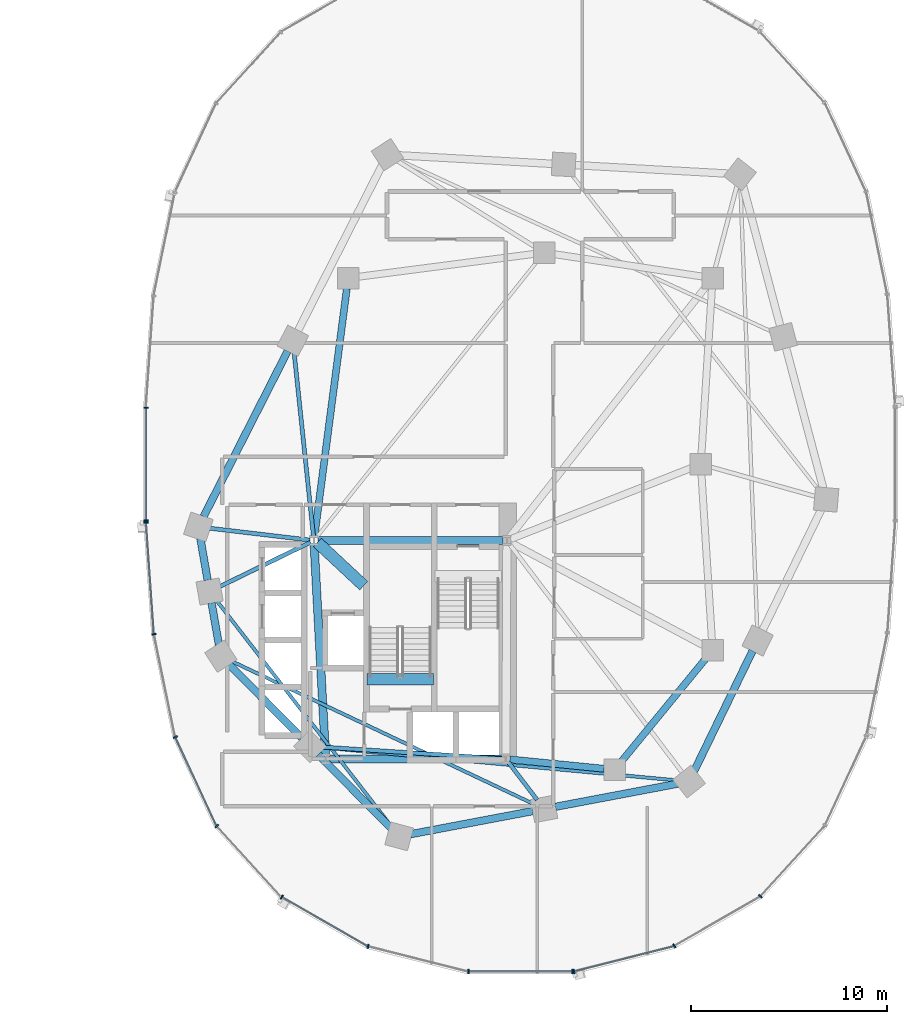
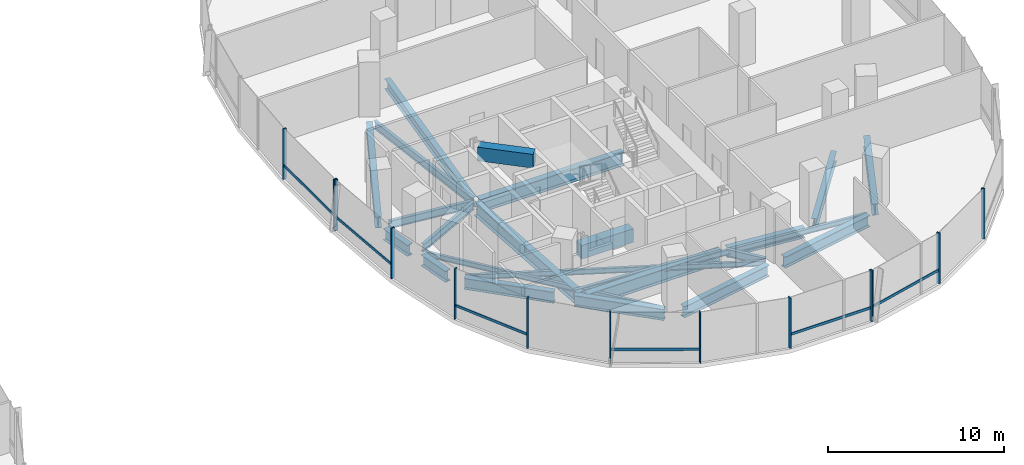
# One storey, part 5 of 22: 24 beams, 19 members, 3 elements without a shape of their own.
"""IFC4 building model written with IfcOpenShell, lengths in metres."""

from ifc_helpers import new_model, si_unit, direction, frame, origin, origin_2d, place, context, subcontext, project, spatial, rectangle, i_section, extrude, material, material_profile, profile_set, type_object, element, aggregate, save


model = new_model("IFC4")

# Units and contexts
model_context = context("Model", 3, precision=1e-05, world=origin(), true_north=direction((0.0, 1.0)))
body_context = subcontext(model_context, "Body", "Model", "MODEL_VIEW")
ifc_project = project(units=[si_unit("LENGTHUNIT", "METRE"), si_unit("AREAUNIT", "SQUARE_METRE"), si_unit("VOLUMEUNIT", "CUBIC_METRE"), si_unit("PLANEANGLEUNIT", "RADIAN"), si_unit("MASSUNIT", "GRAM", prefix="KILO"), si_unit("THERMODYNAMICTEMPERATUREUNIT", "KELVIN"), si_unit("POWERUNIT", "WATT")], contexts=[model_context])

# Site, building, storey
site_placement = place(None, origin())
site = spatial("IfcSite", under=ifc_project, at=site_placement, CompositionType="ELEMENT")
building_placement = place(site_placement, origin())
building = spatial("IfcBuilding", under=site, at=building_placement, Name="Cundina Bronze Exchange", CompositionType="ELEMENT")
storey_placement = place(building_placement, frame((0.0, 0.0, 43.0)))
storey = spatial("IfcBuildingStorey", under=building, at=storey_placement, Name="L10", CompositionType="ELEMENT", Elevation=43.0)

# Beams
ifc_material_1 = material(Name="Concrete C60/75", Category="concrete")
ifc_material_profile_1 = material_profile(ifc_material_1, rectangle(XDim=0.60009765625, YDim=0.949951171875, at=origin_2d()), Name="RC600X950", Category="concrete")
ifc_profile_set_1 = profile_set([ifc_material_profile_1], Name="Concrete C60/75")
beam_type_1 = type_object("IfcBeamType", Name="BM-COUP-RC950", PredefinedType="LINTEL", material=ifc_profile_set_1)
beam_1_placement = place(storey_placement, frame((24.159912109375, -10.97998046875, -0.47509765625), z_axis=(1.0, 0.0, 0.0), x_axis=(0.0, 1.0, 0.0)))
element("IfcBeam", 1, at=beam_1_placement, inside=storey, type_object=beam_type_1, Name="L10 Stair E2 Landing Header Beam", PredefinedType="LINTEL", context=body_context, shape_type="SweptSolid", body=[
    extrude(rectangle(XDim=0.60009765625, YDim=0.949951171875, at=origin_2d()), origin(), (0.0, 0.0, 1.0), 3.400146484375),
])
beam_2_placement = place(storey_placement, frame((21.6298828125, -4.0, 3.02490234375), z_axis=(0.731490439815, -0.681851696822, 0.0), x_axis=(0.681851696822, 0.731490439815, 0.0)))
element("IfcBeam", 2, at=beam_2_placement, inside=storey, type_object=beam_type_1, Name="L10 E Core Shear Coupling Lintel Beam", PredefinedType="LINTEL", context=body_context, shape_type="SweptSolid", body=[
    extrude(rectangle(XDim=0.60009765625, YDim=0.949951171875, at=origin_2d()), origin(), (0.0, 0.0, 1.0), 3.226318359375),
])
ifc_material_2 = material(Name="Steel ASTM A992 Grade 50", Category="steel")
ifc_material_profile_2 = material_profile(ifc_material_2, i_section(OverallWidth=0.2099609375, OverallDepth=0.532958984375, WebThickness=0.01025390625, FlangeThickness=0.015625, FilletRadius=0.013916015625, at=origin_2d()), Name="W21X62", Category="steel")
ifc_profile_set_2 = profile_set([ifc_material_profile_2], Name="Steel ASTM A992 Grade 50")
beam_type_2 = type_object("IfcBeamType", Name="BM-FLR-W21B", PredefinedType="BEAM", material=ifc_profile_set_2)
beam_3_placement = place(storey_placement, frame((21.247314453125, -3.8759765625, -0.56640625), z_axis=(-0.993035236117, 0.117817739878, 0.0), x_axis=(-0.117817739878, -0.993035236117, 0.0)))
element("IfcBeam", 3, at=beam_3_placement, inside=storey, type_object=beam_type_2, Name="L10 Leg E Chordal Floor Beam 00", PredefinedType="BEAM", context=body_context, shape_type="SweptSolid", body=[
    extrude(i_section(OverallWidth=0.2099609375, OverallDepth=0.532958984375, WebThickness=0.01025390625, FlangeThickness=0.015625, FilletRadius=0.013916015625, at=origin_2d()), origin(), (0.0, 0.0, 1.0), 5.1494140625),
])
beam_4_placement = place(storey_placement, frame((21.2666015625, -3.989501953125, -0.56640625), z_axis=(-0.898610249448, -0.438747785849, 0.0), x_axis=(0.438747785849, -0.898610249448, 0.0)))
element("IfcBeam", 4, at=beam_4_placement, inside=storey, type_object=beam_type_2, Name="L10 Leg E Chordal Floor Beam 01", PredefinedType="BEAM", context=body_context, shape_type="SweptSolid", body=[
    extrude(i_section(OverallWidth=0.2099609375, OverallDepth=0.532958984375, WebThickness=0.01025390625, FlangeThickness=0.015625, FilletRadius=0.013916015625, at=origin_2d()), origin(), (0.0, 0.0, 1.0), 5.1337890625),
])
beam_5_placement = place(storey_placement, frame((31.04638671875, -15.036865234375, -0.56640625), z_axis=(-0.99789233798, 0.064891307594, 0.0), x_axis=(-0.064891307594, -0.99789233798, 0.0)))
element("IfcBeam", 5, at=beam_5_placement, inside=storey, type_object=beam_type_2, Name="L10 Leg E Chordal Floor Beam 03", PredefinedType="BEAM", context=body_context, shape_type="SweptSolid", body=[
    extrude(i_section(OverallWidth=0.2099609375, OverallDepth=0.532958984375, WebThickness=0.01025390625, FlangeThickness=0.015625, FilletRadius=0.013916015625, at=origin_2d()), origin(), (0.0, 0.0, 1.0), 9.22900390625),
])
beam_6_placement = place(storey_placement, frame((31.373779296875, -15.2119140625, -0.56640625), z_axis=(0.607468844289, -0.794343504548, 0.0), x_axis=(0.794343504548, 0.607468844289, 0.0)))
element("IfcBeam", 6, at=beam_6_placement, inside=storey, type_object=beam_type_2, Name="L10 Leg E Chordal Floor Beam 05", PredefinedType="BEAM", context=body_context, shape_type="SweptSolid", body=[
    extrude(i_section(OverallWidth=0.2099609375, OverallDepth=0.532958984375, WebThickness=0.01025390625, FlangeThickness=0.015625, FilletRadius=0.013916015625, at=origin_2d()), origin(), (0.0, 0.0, 1.0), 2.418212890625),
])
beam_7_placement = place(storey_placement, frame((21.4287109375, -3.697021484375, -0.56640625), z_axis=(-0.10483517787, 0.994489610544, 0.0), x_axis=(-0.994489610544, -0.10483517787, 0.0)))
element("IfcBeam", 7, at=beam_7_placement, inside=storey, type_object=beam_type_2, Name="L10 Leg E Chordal Floor Beam 13", PredefinedType="BEAM", context=body_context, shape_type="SweptSolid", body=[
    extrude(i_section(OverallWidth=0.2099609375, OverallDepth=0.532958984375, WebThickness=0.01025390625, FlangeThickness=0.015625, FilletRadius=0.013916015625, at=origin_2d()), origin(), (0.0, 0.0, 1.0), 9.46435546875),
])
ifc_material_profile_3 = material_profile(ifc_material_2, i_section(OverallWidth=0.172119140625, OverallDepth=0.35791015625, WebThickness=0.0078125, FlangeThickness=0.01318359375, FilletRadius=0.010009765625, at=origin_2d()), Name="W14X38", Category="steel")
ifc_profile_set_3 = profile_set([ifc_material_profile_3], Name="Steel ASTM A992 Grade 50")
beam_type_3 = type_object("IfcBeamType", Name="BM-JST-W14", PredefinedType="JOIST", material=ifc_profile_set_3)
beam_8_placement = place(storey_placement, frame((16.48486328125, -6.965087890625, -0.47900390625), z_axis=(0.612089386305, -0.790788583108, 0.0), x_axis=(0.790788583108, 0.612089386305, 0.0)))
element("IfcBeam", 8, at=beam_8_placement, inside=storey, type_object=beam_type_3, Name="L10 Leg E Lobe Floor Joist 01-04", PredefinedType="JOIST", context=body_context, shape_type="SweptSolid", body=[
    extrude(i_section(OverallWidth=0.172119140625, OverallDepth=0.35791015625, WebThickness=0.0078125, FlangeThickness=0.01318359375, FilletRadius=0.010009765625, at=origin_2d()), origin(), (0.0, 0.0, 1.0), 14.630859375),
])
beam_9_placement = place(storey_placement, frame((17.231689453125, -10.05126953125, -0.47900390625), z_axis=(0.904072668297, -0.427378766949, 0.0), x_axis=(0.427378766949, 0.904072668297, 0.0)))
element("IfcBeam", 9, at=beam_9_placement, inside=storey, type_object=beam_type_3, Name="L10 Leg E Lobe Floor Joist 02-05", PredefinedType="JOIST", context=body_context, shape_type="SweptSolid", body=[
    extrude(i_section(OverallWidth=0.172119140625, OverallDepth=0.35791015625, WebThickness=0.0078125, FlangeThickness=0.01318359375, FilletRadius=0.010009765625, at=origin_2d()), origin(), (0.0, 0.0, 1.0), 17.07470703125),
])
beam_10_placement = place(storey_placement, frame((21.83544921875, -14.45458984375, -0.47900390625), z_axis=(0.995701961644, -0.09261535282, 0.0), x_axis=(0.09261535282, 0.995701961644, 0.0)))
element("IfcBeam", 10, at=beam_10_placement, inside=storey, type_object=beam_type_3, Name="L10 Leg E Lobe Floor Joist 03-06", PredefinedType="JOIST", context=body_context, shape_type="SweptSolid", body=[
    extrude(i_section(OverallWidth=0.172119140625, OverallDepth=0.35791015625, WebThickness=0.0078125, FlangeThickness=0.01318359375, FilletRadius=0.010009765625, at=origin_2d()), origin(), (0.0, 0.0, 1.0), 18.25732421875),
])
ifc_material_profile_4 = material_profile(ifc_material_2, i_section(OverallWidth=0.35498046875, OverallDepth=0.695068359375, WebThickness=0.015380859375, FlangeThickness=0.02490234375, FilletRadius=0.01806640625, at=origin_2d()), Name="W27X146", Category="steel")
ifc_profile_set_4 = profile_set([ifc_material_profile_4], Name="Steel ASTM A992 Grade 50")
beam_type_4 = type_object("IfcBeamType", Name="BM-RING-W27", PredefinedType="USERDEFINED", material=ifc_profile_set_4)
beam_11_placement = place(storey_placement, frame((31.452880859375, -15.070068359375, -0.6474609375), z_axis=(0.995126271817, -0.098608839051, 0.0), x_axis=(0.098608839051, 0.995126271817, 0.0)))
element("IfcBeam", 11, at=beam_11_placement, inside=storey, type_object=beam_type_4, Name="L10 E Inner Structural Ring Girder 01", ObjectType="GIRDER", PredefinedType="USERDEFINED", context=body_context, shape_type="SweptSolid", body=[
    extrude(i_section(OverallWidth=0.35498046875, OverallDepth=0.695068359375, WebThickness=0.015380859375, FlangeThickness=0.02490234375, FilletRadius=0.01806640625, at=origin_2d()), origin(), (0.0, 0.0, 1.0), 4.83544921875),
])
beam_12_placement = place(storey_placement, frame((37.14111328125, -15.183837890625, -0.6474609375), z_axis=(0.633926549035, 0.773393257295, 0.0), x_axis=(-0.773393257295, 0.633926549035, 0.0)))
element("IfcBeam", 12, at=beam_12_placement, inside=storey, type_object=beam_type_4, Name="L10 E Inner Structural Ring Girder 02", ObjectType="GIRDER", PredefinedType="USERDEFINED", context=body_context, shape_type="SweptSolid", body=[
    extrude(i_section(OverallWidth=0.35498046875, OverallDepth=0.695068359375, WebThickness=0.015380859375, FlangeThickness=0.02490234375, FilletRadius=0.01806640625, at=origin_2d()), origin(), (0.0, 0.0, 1.0), 6.811279296875),
])
beam_13_placement = place(storey_placement, frame((23.13037109375, 8.966552734375, -0.6474609375), z_axis=(-0.129507526533, -0.99157843894, 0.0), x_axis=(0.99157843894, -0.129507526533, 0.0)))
element("IfcBeam", 13, at=beam_13_placement, inside=storey, type_object=beam_type_4, Name="L10 E Inner Structural Ring Girder 07", ObjectType="GIRDER", PredefinedType="USERDEFINED", context=body_context, shape_type="SweptSolid", body=[
    extrude(i_section(OverallWidth=0.35498046875, OverallDepth=0.695068359375, WebThickness=0.015380859375, FlangeThickness=0.02490234375, FilletRadius=0.01806640625, at=origin_2d()), origin(), (0.0, 0.0, 1.0), 12.77197265625),
])
ifc_material_profile_5 = material_profile(ifc_material_2, i_section(OverallWidth=0.381103515625, OverallDepth=0.77294921875, WebThickness=0.0166015625, FlangeThickness=0.027099609375, FilletRadius=0.01904296875, at=origin_2d()), Name="W30X173", Category="steel")
ifc_profile_set_5 = profile_set([ifc_material_profile_5], Name="Steel ASTM A992 Grade 50")
beam_type_5 = type_object("IfcBeamType", Name="BM-RING-W30", PredefinedType="USERDEFINED", material=ifc_profile_set_5)
for number, where, z_axis, x_axis, name in (
    (14, (15.65087890625, -3.779296875, -0.6865234375), (0.171734584051, -0.985143254883, 0.0), (0.985143254883, 0.171734584051, 0.0), "L10 E Perimeter Ring Girder 00"),
    (15, (16.225830078125, -7.079345703125, -0.6865234375), (0.171734584051, -0.985143254883, 0.0), (0.985143254883, 0.171734584051, 0.0), "L10 E Perimeter Ring Girder 01"),
):
    element("IfcBeam", number, at=place(storey_placement, frame(where, z_axis=z_axis, x_axis=x_axis)), inside=storey, type_object=beam_type_5, Name=name, ObjectType="GIRDER", PredefinedType="USERDEFINED", context=body_context, shape_type="SweptSolid", body=[
        extrude(i_section(OverallWidth=0.381103515625, OverallDepth=0.77294921875, WebThickness=0.0166015625, FlangeThickness=0.027099609375, FilletRadius=0.01904296875, at=origin_2d()), origin(), (0.0, 0.0, 1.0), 2.173583984375),
    ])
for number, where, z_axis, x_axis, name in (
    (16, (17.113525390625, -10.218017578125, -0.6865234375), (0.703222428859, -0.710969911845, 0.0), (0.710969911845, 0.703222428859, 0.0), "L10 E Perimeter Ring Girder 02"),
    (17, (21.66357421875, -14.818115234375, -0.6865234375), (0.703222428859, -0.710969911845, 0.0), (0.710969911845, 0.703222428859, 0.0), "L10 E Perimeter Ring Girder 03"),
):
    element("IfcBeam", number, at=place(storey_placement, frame(where, z_axis=z_axis, x_axis=x_axis)), inside=storey, type_object=beam_type_5, Name=name, ObjectType="GIRDER", PredefinedType="USERDEFINED", context=body_context, shape_type="SweptSolid", body=[
        extrude(i_section(OverallWidth=0.381103515625, OverallDepth=0.77294921875, WebThickness=0.0166015625, FlangeThickness=0.027099609375, FilletRadius=0.01904296875, at=origin_2d()), origin(), (0.0, 0.0, 1.0), 5.2939453125),
    ])
beam_14_placement = place(storey_placement, frame((26.377685546875, -18.890625, -0.6865234375), z_axis=(0.982570814598, 0.185888661031, 0.0), x_axis=(-0.185888661031, 0.982570814598, 0.0)))
element("IfcBeam", 18, at=beam_14_placement, inside=storey, type_object=beam_type_5, Name="L10 E Perimeter Ring Girder 04", ObjectType="GIRDER", PredefinedType="USERDEFINED", context=body_context, shape_type="SweptSolid", body=[
    extrude(i_section(OverallWidth=0.381103515625, OverallDepth=0.77294921875, WebThickness=0.0166015625, FlangeThickness=0.027099609375, FilletRadius=0.01904296875, at=origin_2d()), origin(), (0.0, 0.0, 1.0), 6.35546875),
])
beam_15_placement = place(storey_placement, frame((33.77783203125, -17.49072265625, -0.6865234375), z_axis=(0.982569487119, 0.185895677686, 0.0), x_axis=(-0.185895677686, 0.982569487119, 0.0)))
element("IfcBeam", 19, at=beam_15_placement, inside=storey, type_object=beam_type_5, Name="L10 E Perimeter Ring Girder 05", ObjectType="GIRDER", PredefinedType="USERDEFINED", context=body_context, shape_type="SweptSolid", body=[
    extrude(i_section(OverallWidth=0.381103515625, OverallDepth=0.77294921875, WebThickness=0.0166015625, FlangeThickness=0.027099609375, FilletRadius=0.01904296875, at=origin_2d()), origin(), (0.0, 0.0, 1.0), 6.355224609375),
])
beam_16_placement = place(storey_placement, frame((40.857177734375, -15.671142578125, -0.6865234375), z_axis=(0.437190698904, 0.899368830231, 0.0), x_axis=(-0.899368830231, 0.437190698904, 0.0)))
element("IfcBeam", 20, at=beam_16_placement, inside=storey, type_object=beam_type_5, Name="L10 E Perimeter Ring Girder 06", ObjectType="GIRDER", PredefinedType="USERDEFINED", context=body_context, shape_type="SweptSolid", body=[
    extrude(i_section(OverallWidth=0.381103515625, OverallDepth=0.77294921875, WebThickness=0.0166015625, FlangeThickness=0.027099609375, FilletRadius=0.01904296875, at=origin_2d()), origin(), (0.0, 0.0, 1.0), 6.82958984375),
])
beam_17_placement = place(storey_placement, frame((20.108642578125, 5.775634765625, -0.6865234375), z_axis=(-0.452819633606, -0.891602141889, 0.0), x_axis=(0.891602141889, -0.452819633606, 0.0)))
element("IfcBeam", 21, at=beam_17_placement, inside=storey, type_object=beam_type_5, Name="L10 E Perimeter Ring Girder 13", ObjectType="GIRDER", PredefinedType="USERDEFINED", context=body_context, shape_type="SweptSolid", body=[
    extrude(i_section(OverallWidth=0.381103515625, OverallDepth=0.77294921875, WebThickness=0.0166015625, FlangeThickness=0.027099609375, FilletRadius=0.01904296875, at=origin_2d()), origin(), (0.0, 0.0, 1.0), 9.47900390625),
])
ifc_material_profile_6 = material_profile(ifc_material_2, i_section(OverallWidth=0.41796875, OverallDepth=0.927001953125, WebThickness=0.019287109375, FlangeThickness=0.031982421875, FilletRadius=0.02392578125, at=origin_2d()), Name="W36X231", Category="steel")
ifc_profile_set_6 = profile_set([ifc_material_profile_6], Name="Steel ASTM A992 Grade 50")
beam_type_6 = type_object("IfcBeamType", Name="BM-WRN-W36B", PredefinedType="USERDEFINED", material=ifc_profile_set_6)
beam_18_placement = place(storey_placement, frame((31.095947265625, -3.89990234375, -0.763427734375), z_axis=(-1.0, 0.0, 0.0), x_axis=(0.0, -1.0, 0.0)))
element("IfcBeam", 22, at=beam_18_placement, inside=storey, type_object=beam_type_6, Name="L10 E Core Perimeter Tie Girder 1", ObjectType="GIRDER", PredefinedType="USERDEFINED", context=body_context, shape_type="SweptSolid", body=[
    extrude(i_section(OverallWidth=0.41796875, OverallDepth=0.927001953125, WebThickness=0.019287109375, FlangeThickness=0.031982421875, FilletRadius=0.02392578125, at=origin_2d()), origin(), (0.0, 0.0, 1.0), 9.44189453125),
])
beam_19_placement = place(storey_placement, frame((21.4609375, -4.103759765625, -0.763427734375), z_axis=(0.053739193498, -0.998555005537, 0.0), x_axis=(0.998555005537, 0.053739193498, 0.0)))
element("IfcBeam", 23, at=beam_19_placement, inside=storey, type_object=beam_type_6, Name="L10 E Core Perimeter Tie Girder 2", ObjectType="GIRDER", PredefinedType="USERDEFINED", context=body_context, shape_type="SweptSolid", body=[
    extrude(i_section(OverallWidth=0.41796875, OverallDepth=0.927001953125, WebThickness=0.019287109375, FlangeThickness=0.031982421875, FilletRadius=0.02392578125, at=origin_2d()), origin(), (0.0, 0.0, 1.0), 10.758056640625),
])
beam_20_placement = place(storey_placement, frame((22.25390625, -15.050048828125, -0.763427734375), z_axis=(1.0, 0.0, 0.0), x_axis=(0.0, 1.0, 0.0)))
element("IfcBeam", 24, at=beam_20_placement, inside=storey, type_object=beam_type_6, Name="L10 E Core Perimeter Tie Girder 3", ObjectType="GIRDER", PredefinedType="USERDEFINED", context=body_context, shape_type="SweptSolid", body=[
    extrude(i_section(OverallWidth=0.41796875, OverallDepth=0.927001953125, WebThickness=0.019287109375, FlangeThickness=0.031982421875, FilletRadius=0.02392578125, at=origin_2d()), origin(), (0.0, 0.0, 1.0), 8.7919921875),
])

# Curtain wall, members
ifc_material_3 = material(Name="Anodised Bronze Aluminium 6063-T6", Category="aluminium")
curtain_wall_type = type_object("IfcCurtainWallType", Name="CWS-TRD-LOW", PredefinedType="NOTDEFINED", material=ifc_material_3)
curtain_wall_1_placement = place(storey_placement, origin())
curtain_wall_1 = element("IfcCurtainWall", 25, at=curtain_wall_1_placement, inside=storey, type_object=curtain_wall_type, Name="L10 CW-02 Curtain Wall Run CWR-L10-E2", PredefinedType="NOTDEFINED")
ifc_material_profile_7 = material_profile(ifc_material_3, rectangle(XDim=0.074951171875, YDim=0.219970703125, at=origin_2d()), Name="AL75X220", Category="aluminium")
ifc_profile_set_7 = profile_set([ifc_material_profile_7], Name="Anodised Bronze Aluminium 6063-T6")
member_type_1 = type_object("IfcMemberType", Name="CWM-MUL-220", PredefinedType="MULLION", material=ifc_profile_set_7)
member_1_placement = place(storey_placement, frame((12.8720703125, 2.880615234375, 0.0), z_axis=(0.0, 0.0, 1.0), x_axis=(0.0, -1.0, 0.0)))
member_1 = element("IfcMember", 26, at=member_1_placement, type_object=member_type_1, Name="CW-02 Mullion 7", PredefinedType="MULLION", context=body_context, shape_type="SweptSolid", body=[
    extrude(rectangle(XDim=0.074951171875, YDim=0.219970703125, at=origin_2d()), origin(), (0.0, 0.0, 1.0), 3.5),
])
member_2_placement = place(storey_placement, frame((12.8720703125, -2.880615234375, 0.0), z_axis=(0.0, 0.0, 1.0), x_axis=(0.0, -1.0, 0.0)))
member_2 = element("IfcMember", 27, at=member_2_placement, type_object=member_type_1, Name="CW-02 End Mullion", PredefinedType="MULLION", context=body_context, shape_type="SweptSolid", body=[
    extrude(rectangle(XDim=0.074951171875, YDim=0.219970703125, at=origin_2d()), origin(), (0.0, 0.0, 1.0), 3.5),
])

curtain_wall_2_placement = place(storey_placement, origin())
curtain_wall_2 = element("IfcCurtainWall", 28, at=curtain_wall_2_placement, inside=storey, type_object=curtain_wall_type, Name="L10 CW-02 Curtain Wall Run CWR-L10-E3", PredefinedType="NOTDEFINED")
member_3_placement = place(storey_placement, frame((12.87548828125, -2.976318359375, 0.0), z_axis=(0.0, 0.0, 1.0), x_axis=(0.070278787473, -0.997527389113, 0.0)))
member_3 = element("IfcMember", 29, at=member_3_placement, type_object=member_type_1, Name="CW-02 Mullion 1", PredefinedType="MULLION", context=body_context, shape_type="SweptSolid", body=[
    extrude(rectangle(XDim=0.074951171875, YDim=0.219970703125, at=origin_2d()), origin(), (0.0, 0.0, 1.0), 3.5),
])
member_4_placement = place(storey_placement, frame((13.282958984375, -8.67822265625, 0.0), z_axis=(0.0, 0.0, 1.0), x_axis=(0.201419845156, -0.979505000486, 0.0)))
member_4 = element("IfcMember", 30, at=member_4_placement, type_object=member_type_1, Name="CW-02 Mullion 2", PredefinedType="MULLION", context=body_context, shape_type="SweptSolid", body=[
    extrude(rectangle(XDim=0.074951171875, YDim=0.219970703125, at=origin_2d()), origin(), (0.0, 0.0, 1.0), 3.5),
])
member_5_placement = place(storey_placement, frame((14.3720703125, -13.931884765625, 0.0), z_axis=(0.0, 0.0, 1.0), x_axis=(0.42087749791, -0.907117485088, 0.0)))
member_5 = element("IfcMember", 31, at=member_5_placement, type_object=member_type_1, Name="CW-02 Mullion 3", PredefinedType="MULLION", context=body_context, shape_type="SweptSolid", body=[
    extrude(rectangle(XDim=0.074951171875, YDim=0.219970703125, at=origin_2d()), origin(), (0.0, 0.0, 1.0), 3.5),
])
member_6_placement = place(storey_placement, frame((16.491455078125, -18.47705078125, 0.0), z_axis=(0.0, 0.0, 1.0), x_axis=(0.674302387584, -0.738455340626, 0.0)))
member_6 = element("IfcMember", 32, at=member_6_placement, type_object=member_type_1, Name="CW-02 Mullion 4", PredefinedType="MULLION", context=body_context, shape_type="SweptSolid", body=[
    extrude(rectangle(XDim=0.074951171875, YDim=0.219970703125, at=origin_2d()), origin(), (0.0, 0.0, 1.0), 3.5),
])
member_7_placement = place(storey_placement, frame((19.810302734375, -22.097412109375, 0.0), z_axis=(0.0, 0.0, 1.0), x_axis=(0.867070701164, -0.498185105339, 0.0)))
member_7 = element("IfcMember", 33, at=member_7_placement, type_object=member_type_1, Name="CW-02 Mullion 5", PredefinedType="MULLION", context=body_context, shape_type="SweptSolid", body=[
    extrude(rectangle(XDim=0.074951171875, YDim=0.219970703125, at=origin_2d()), origin(), (0.0, 0.0, 1.0), 3.5),
])
member_8_placement = place(storey_placement, frame((24.21484375, -24.61669921875, 0.0), z_axis=(0.0, 0.0, 1.0), x_axis=(0.969488149345, -0.245138182011, 0.0)))
member_8 = element("IfcMember", 34, at=member_8_placement, type_object=member_type_1, Name="CW-02 Mullion 6", PredefinedType="MULLION", context=body_context, shape_type="SweptSolid", body=[
    extrude(rectangle(XDim=0.074951171875, YDim=0.219970703125, at=origin_2d()), origin(), (0.0, 0.0, 1.0), 3.5),
])
member_9_placement = place(storey_placement, frame((29.345458984375, -25.905029296875, 0.0), z_axis=(0.0, 0.0, 1.0), x_axis=(1.0, 0.0, 0.0)))
member_9 = element("IfcMember", 35, at=member_9_placement, type_object=member_type_1, Name="CW-02 Mullion 7", PredefinedType="MULLION", context=body_context, shape_type="SweptSolid", body=[
    extrude(rectangle(XDim=0.074951171875, YDim=0.219970703125, at=origin_2d()), origin(), (0.0, 0.0, 1.0), 3.5),
])
member_10_placement = place(storey_placement, frame((34.654541015625, -25.905029296875, 0.0), z_axis=(0.0, 0.0, 1.0), x_axis=(1.0, 0.0, 0.0)))
member_10 = element("IfcMember", 36, at=member_10_placement, type_object=member_type_1, Name="CW-02 End Mullion", PredefinedType="MULLION", context=body_context, shape_type="SweptSolid", body=[
    extrude(rectangle(XDim=0.074951171875, YDim=0.219970703125, at=origin_2d()), origin(), (0.0, 0.0, 1.0), 3.5),
])

curtain_wall_3_placement = place(storey_placement, origin())
curtain_wall_3 = element("IfcCurtainWall", 37, at=curtain_wall_3_placement, inside=storey, type_object=curtain_wall_type, Name="L10 CW-02 Curtain Wall Run CWR-L10-E4", PredefinedType="NOTDEFINED")
member_11_placement = place(storey_placement, frame((34.72607421875, -25.89599609375, 0.0), z_axis=(0.0, 0.0, 1.0), x_axis=(0.969488149345, 0.245138182011, 0.0)))
member_11 = element("IfcMember", 38, at=member_11_placement, type_object=member_type_1, Name="CW-02 Mullion 1", PredefinedType="MULLION", context=body_context, shape_type="SweptSolid", body=[
    extrude(rectangle(XDim=0.074951171875, YDim=0.219970703125, at=origin_2d()), origin(), (0.0, 0.0, 1.0), 3.5),
])
member_12_placement = place(storey_placement, frame((39.848876953125, -24.591064453125, 0.0), z_axis=(0.0, 0.0, 1.0), x_axis=(0.867070701164, 0.498185105339, 0.0)))
member_12 = element("IfcMember", 39, at=member_12_placement, type_object=member_type_1, Name="CW-02 Mullion 2", PredefinedType="MULLION", context=body_context, shape_type="SweptSolid", body=[
    extrude(rectangle(XDim=0.074951171875, YDim=0.219970703125, at=origin_2d()), origin(), (0.0, 0.0, 1.0), 3.5),
])
member_13_placement = place(storey_placement, frame((44.239501953125, -22.0576171875, 0.0), z_axis=(0.0, 0.0, 1.0), x_axis=(0.674302387584, 0.738455340626, 0.0)))
member_13 = element("IfcMember", 40, at=member_13_placement, type_object=member_type_1, Name="CW-02 Mullion 3", PredefinedType="MULLION", context=body_context, shape_type="SweptSolid", body=[
    extrude(rectangle(XDim=0.074951171875, YDim=0.219970703125, at=origin_2d()), origin(), (0.0, 0.0, 1.0), 3.5),
])

# Member
ifc_material_profile_8 = material_profile(ifc_material_3, rectangle(XDim=0.070068359375, YDim=0.179931640625, at=origin_2d()), Name="AL70X180", Category="aluminium")
ifc_profile_set_8 = profile_set([ifc_material_profile_8], Name="Anodised Bronze Aluminium 6063-T6")
member_type_2 = type_object("IfcMemberType", Name="CWM-TRN-180", PredefinedType="USERDEFINED", material=ifc_profile_set_8)
member_14_placement = place(storey_placement, frame((12.8720703125, 2.839111328125, 0.919921875), z_axis=(0.0, -1.0, 0.0), x_axis=(1.0, 0.0, 0.0)))
member_14 = element("IfcMember", 41, at=member_14_placement, type_object=member_type_2, Name="CW-02 Spandrel Transom 7", ObjectType="TRANSOM", PredefinedType="USERDEFINED", context=body_context, shape_type="SweptSolid", body=[
    extrude(rectangle(XDim=0.070068359375, YDim=0.179931640625, at=origin_2d()), origin(), (0.0, 0.0, 1.0), 5.67822265625),
])

aggregate(curtain_wall_1, [member_1, member_2, member_14])

member_15_placement = place(storey_placement, frame((12.87841796875, -3.017333984375, 0.919921875), z_axis=(0.070260714471, -0.997528662246, 0.0), x_axis=(0.997528662246, 0.070260714471, 0.0)))
member_15 = element("IfcMember", 42, at=member_15_placement, type_object=member_type_2, Name="CW-02 Spandrel Transom 1", ObjectType="TRANSOM", PredefinedType="USERDEFINED", context=body_context, shape_type="SweptSolid", body=[
    extrude(rectangle(XDim=0.070068359375, YDim=0.179931640625, at=origin_2d()), origin(), (0.0, 0.0, 1.0), 5.629150390625),
])

member_16_placement = place(storey_placement, frame((14.389404296875, -13.96923828125, 0.919921875), z_axis=(0.420811422796, -0.907148139195, 0.0), x_axis=(0.907148139195, 0.420811422796, 0.0)))
member_16 = element("IfcMember", 43, at=member_16_placement, type_object=member_type_2, Name="CW-02 Spandrel Transom 3", ObjectType="TRANSOM", PredefinedType="USERDEFINED", context=body_context, shape_type="SweptSolid", body=[
    extrude(rectangle(XDim=0.070068359375, YDim=0.179931640625, at=origin_2d()), origin(), (0.0, 0.0, 1.0), 4.95166015625),
])

member_17_placement = place(storey_placement, frame((19.845947265625, -22.117919921875, 0.919921875), z_axis=(0.867097475651, -0.498138502546, 0.0), x_axis=(0.498138502546, 0.867097475651, 0.0)))
member_17 = element("IfcMember", 44, at=member_17_placement, type_object=member_type_2, Name="CW-02 Spandrel Transom 5", ObjectType="TRANSOM", PredefinedType="USERDEFINED", context=body_context, shape_type="SweptSolid", body=[
    extrude(rectangle(XDim=0.070068359375, YDim=0.179931640625, at=origin_2d()), origin(), (0.0, 0.0, 1.0), 5.00634765625),
])

member_18_placement = place(storey_placement, frame((29.38671875, -25.905029296875, 0.919921875), z_axis=(1.0, 0.0, 0.0), x_axis=(0.0, 1.0, 0.0)))
member_18 = element("IfcMember", 45, at=member_18_placement, type_object=member_type_2, Name="CW-02 Spandrel Transom 7", ObjectType="TRANSOM", PredefinedType="USERDEFINED", context=body_context, shape_type="SweptSolid", body=[
    extrude(rectangle(XDim=0.070068359375, YDim=0.179931640625, at=origin_2d()), origin(), (0.0, 0.0, 1.0), 5.2265625),
])

aggregate(curtain_wall_2, [member_3, member_15, member_4, member_5, member_16, member_6, member_7, member_17, member_8, member_9, member_10, member_18])

member_19_placement = place(storey_placement, frame((34.76611328125, -25.885986328125, 0.919921875), z_axis=(0.969483968866, 0.245154714644, 0.0), x_axis=(-0.245154714644, 0.969483968866, 0.0)))
member_19 = element("IfcMember", 46, at=member_19_placement, type_object=member_type_2, Name="CW-02 Spandrel Transom 1", ObjectType="TRANSOM", PredefinedType="USERDEFINED", context=body_context, shape_type="SweptSolid", body=[
    extrude(rectangle(XDim=0.070068359375, YDim=0.179931640625, at=origin_2d()), origin(), (0.0, 0.0, 1.0), 5.21826171875),
])

aggregate(curtain_wall_3, [member_11, member_19, member_12, member_13])

save(model, "model.ifc")
